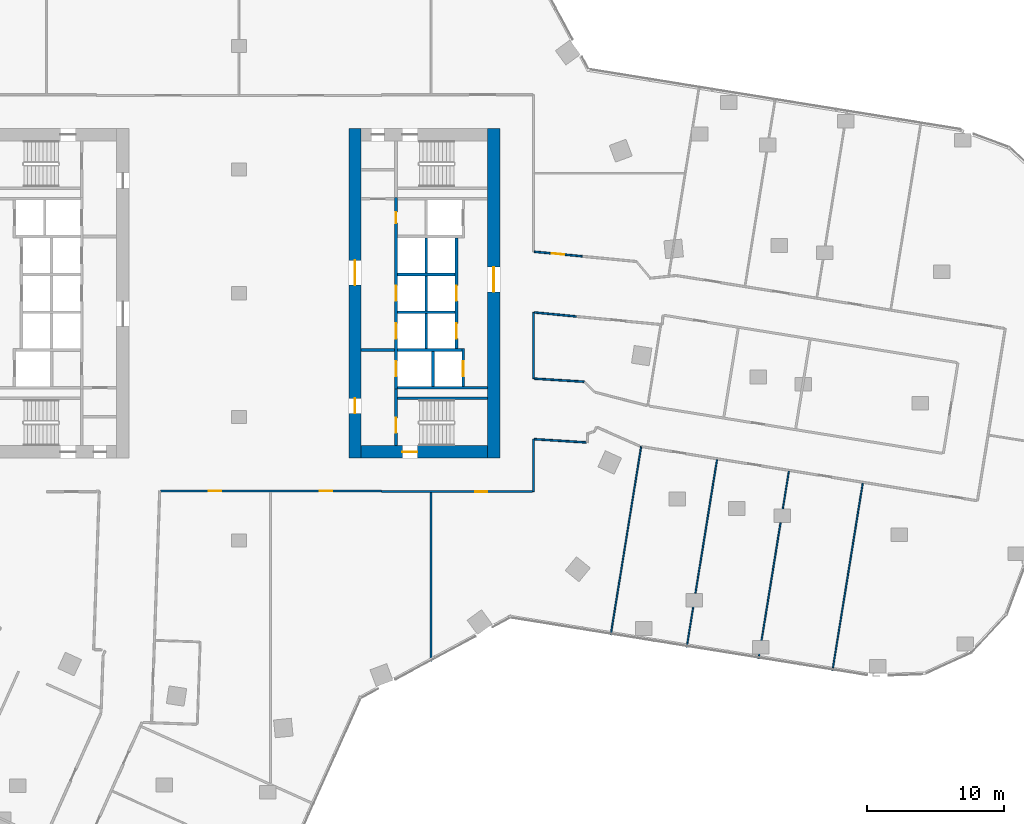
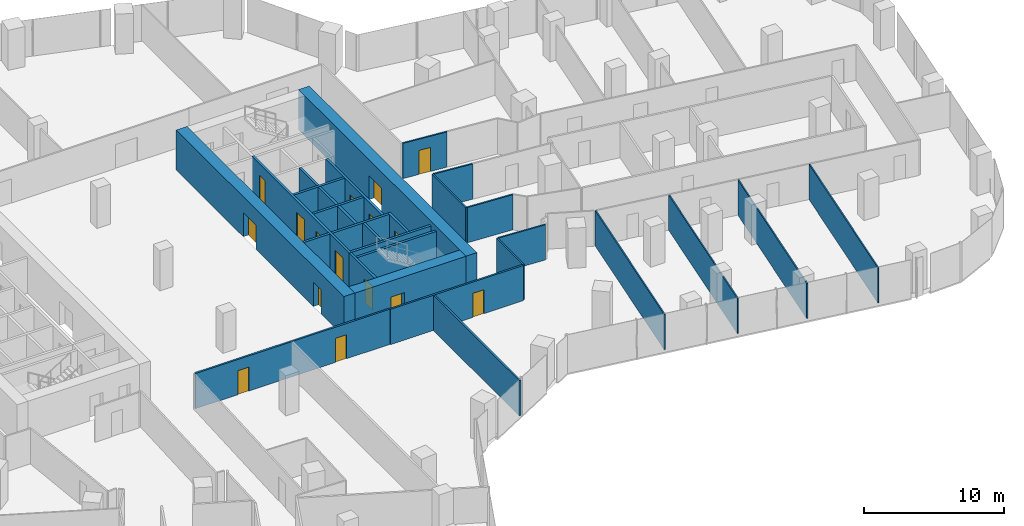
# One storey, part 27 of 34: 30 walls, 16 doors, 16 openings.
"""IFC4 building model written with IfcOpenShell, lengths in metres."""

from ifc_helpers import new_model, si_unit, direction, frame, frame_2d, origin, place, context, subcontext, project, spatial, rectangle, extrude, material, layer, layer_set, type_object, element, fill, save


model = new_model("IFC4")

# Units and contexts
model_context = context("Model", 3, precision=1e-05, world=origin(), true_north=direction((0.0, 1.0)))
body_context = subcontext(model_context, "Body", "Model", "MODEL_VIEW")
ifc_project = project(units=[si_unit("LENGTHUNIT", "METRE"), si_unit("AREAUNIT", "SQUARE_METRE"), si_unit("VOLUMEUNIT", "CUBIC_METRE"), si_unit("PLANEANGLEUNIT", "RADIAN"), si_unit("MASSUNIT", "GRAM", prefix="KILO")], contexts=[model_context])

# Site, building, storey
site_placement = place(None, origin())
site = spatial("IfcSite", under=ifc_project, at=site_placement, CompositionType="ELEMENT")
building_placement = place(site_placement, origin())
building = spatial("IfcBuilding", under=site, at=building_placement, Name="Orlundy Tower", CompositionType="ELEMENT")
storey_placement = place(building_placement, frame((0.0, 0.0, 130.699951171875)))
storey = spatial("IfcBuildingStorey", under=building, at=storey_placement, Name="L33", CompositionType="ELEMENT", Elevation=130.699951171875)

# Wall, opening, door
ifc_material_1 = material(Name="Concrete C80/95", Category="concrete")
ifc_layer_1 = layer(ifc_material_1, 0.89990234375)
ifc_layer_set_1 = layer_set([ifc_layer_1], Name="CORE WALL 900 C80/95")
wall_type_1 = type_object("IfcWallType", Name="CORE WALL 900 C80/95", PredefinedType="SHEAR", material=ifc_layer_set_1)
wall_1_placement = place(storey_placement, frame((8.89990234375, -11.550048828125, 0.0), z_axis=(0.0, 0.0, 1.0), x_axis=(1.0, 0.0, 0.0)))
wall_1 = element("IfcWall", 1, at=wall_1_placement, inside=storey, type_object=wall_type_1, Name="Core wall E-S L33", PredefinedType="SHEAR", context=body_context, shape_type="SweptSolid", body=[
    extrude(rectangle(XDim=9.2001953125, YDim=0.89990234375, at=frame_2d((4.60009765625, 0.0))), origin(), (0.0, 0.0, 1.0), 3.5),
])
opening_1_placement = place(wall_1_placement, frame((3.0, 0.0, 0.0)))
opening_1 = element("IfcOpeningElement", 2, at=opening_1_placement, cuts=wall_1, Name="Opening 25061", PredefinedType="OPENING", context=body_context, shape_type="SweptSolid", body=[
    extrude(rectangle(XDim=1.10009765625, YDim=2.10009765625, at=frame_2d((0.550048828125, 1.050048828125))), frame((0.0, 0.4599609375, 0.0), z_axis=(0.0, -1.0, 0.0), x_axis=(1.0, 0.0, 0.0)), (0.0, 0.0, 1.0), 0.919921875),
])
ifc_material_2 = material(Name="Steel door set", Category="steel")
door_type_1 = type_object("IfcDoorType", Name="Stair Door 1100x2100", OperationType="SINGLE_SWING_LEFT", PredefinedType="DOOR", material=ifc_material_2)
door_1_placement = place(opening_1_placement, origin())
door_1 = element("IfcDoor", 3, at=door_1_placement, inside=storey, type_object=door_type_1, Name="Stair door 25061", OperationType="SINGLE_SWING_LEFT", OverallHeight=2.10009765625, OverallWidth=1.10009765625, PredefinedType="DOOR", context=body_context, shape_type="SweptSolid", body=[
    extrude(rectangle(XDim=1.10009765625, YDim=2.10009765625, at=frame_2d((0.550048828125, 1.050048828125))), frame((0.0, 0.02490234375, 0.0), z_axis=(0.0, -1.0, 0.0), x_axis=(1.0, 0.0, 0.0)), (0.0, 0.0, 1.0), 0.050048828125),
])
fill(opening_1, door_1)

# Wall, openings, doors
wall_2_placement = place(storey_placement, frame((8.449951171875, -12.0, 0.0), z_axis=(0.0, 0.0, 1.0), x_axis=(0.0, 1.0, 0.0)))
wall_2 = element("IfcWall", 4, at=wall_2_placement, inside=storey, type_object=wall_type_1, Name="Core wall E-W L33", PredefinedType="SHEAR", context=body_context, shape_type="SweptSolid", body=[
    extrude(rectangle(XDim=24.0, YDim=0.89990234375, at=frame_2d((12.0, 0.0))), origin(), (0.0, 0.0, 1.0), 3.5),
])
opening_2_placement = place(wall_2_placement, frame((12.60009765625, 0.0, 0.0)))
opening_2 = element("IfcOpeningElement", 5, at=opening_2_placement, cuts=wall_2, Name="Opening 25058", PredefinedType="OPENING", context=body_context, shape_type="SweptSolid", body=[
    extrude(rectangle(XDim=1.800048828125, YDim=2.10009765625, at=frame_2d((0.89990234375, 1.050048828125))), frame((0.0, 0.4599609375, 0.0), z_axis=(0.0, -1.0, 0.0), x_axis=(1.0, 0.0, 0.0)), (0.0, 0.0, 1.0), 0.919921875),
])
opening_3_placement = place(wall_2_placement, frame((3.25, 0.0, 0.0)))
opening_3 = element("IfcOpeningElement", 6, at=opening_3_placement, cuts=wall_2, Name="Opening 25060", PredefinedType="OPENING", context=body_context, shape_type="SweptSolid", body=[
    extrude(rectangle(XDim=1.10009765625, YDim=2.10009765625, at=frame_2d((0.550048828125, 1.050048828125))), frame((0.0, 0.4599609375, 0.0), z_axis=(0.0, -1.0, 0.0), x_axis=(1.0, 0.0, 0.0)), (0.0, 0.0, 1.0), 0.919921875),
])
ifc_material_3 = material(Name="Steel door set", Category="steel")
door_type_2 = type_object("IfcDoorType", Name="Fire-fighting Lobby Door 1100x2100", OperationType="SINGLE_SWING_LEFT", PredefinedType="DOOR", material=ifc_material_3)
door_2_placement = place(opening_3_placement, origin())
door_2 = element("IfcDoor", 7, at=door_2_placement, inside=storey, type_object=door_type_2, Name="Fire-fighting lobby door 25060", OperationType="SINGLE_SWING_LEFT", OverallHeight=2.10009765625, OverallWidth=1.10009765625, PredefinedType="DOOR", context=body_context, shape_type="SweptSolid", body=[
    extrude(rectangle(XDim=1.10009765625, YDim=2.10009765625, at=frame_2d((0.550048828125, 1.050048828125))), frame((0.0, 0.02490234375, 0.0), z_axis=(0.0, -1.0, 0.0), x_axis=(1.0, 0.0, 0.0)), (0.0, 0.0, 1.0), 0.050048828125),
])
fill(opening_3, door_2)
ifc_material_4 = material(Name="Timber door set", Category="wood")
door_type_3 = type_object("IfcDoorType", Name="Lobby Door 1800x2100", OperationType="DOUBLE_DOOR_DOUBLE_SWING", PredefinedType="DOOR", material=ifc_material_4)
door_3_placement = place(opening_2_placement, origin())
door_3 = element("IfcDoor", 8, at=door_3_placement, inside=storey, type_object=door_type_3, Name="Lift lobby door 25058", OperationType="SINGLE_SWING_RIGHT", OverallHeight=2.10009765625, OverallWidth=1.800048828125, PredefinedType="DOOR", context=body_context, shape_type="SweptSolid", body=[
    extrude(rectangle(XDim=1.800048828125, YDim=2.10009765625, at=frame_2d((0.89990234375, 1.050048828125))), frame((0.0, 0.02490234375, 0.0), z_axis=(0.0, -1.0, 0.0), x_axis=(1.0, 0.0, 0.0)), (0.0, 0.0, 1.0), 0.050048828125),
])
fill(opening_2, door_3)

# Wall, opening, door
wall_3_placement = place(storey_placement, frame((18.550048828125, -12.0, 0.0), z_axis=(0.0, 0.0, 1.0), x_axis=(0.0, 1.0, 0.0)))
wall_3 = element("IfcWall", 9, at=wall_3_placement, inside=storey, type_object=wall_type_1, Name="Core wall E-E L33", PredefinedType="SHEAR", context=body_context, shape_type="SweptSolid", body=[
    extrude(rectangle(XDim=24.0, YDim=0.89990234375, at=frame_2d((12.0, 0.0))), origin(), (0.0, 0.0, 1.0), 3.5),
])
opening_4_placement = place(wall_3_placement, frame((12.10009765625, 0.0, 0.0)))
opening_4 = element("IfcOpeningElement", 10, at=opening_4_placement, cuts=wall_3, Name="Opening 25059", PredefinedType="OPENING", context=body_context, shape_type="SweptSolid", body=[
    extrude(rectangle(XDim=1.800048828125, YDim=2.10009765625, at=frame_2d((0.89990234375, 1.050048828125))), frame((0.0, 0.4599609375, 0.0), z_axis=(0.0, -1.0, 0.0), x_axis=(1.0, 0.0, 0.0)), (0.0, 0.0, 1.0), 0.919921875),
])
door_4_placement = place(opening_4_placement, origin())
door_4 = element("IfcDoor", 11, at=door_4_placement, inside=storey, type_object=door_type_3, Name="Lift lobby door 25059", OperationType="SINGLE_SWING_RIGHT", OverallHeight=2.10009765625, OverallWidth=1.800048828125, PredefinedType="DOOR", context=body_context, shape_type="SweptSolid", body=[
    extrude(rectangle(XDim=1.800048828125, YDim=2.10009765625, at=frame_2d((0.89990234375, 1.050048828125))), frame((0.0, 0.02490234375, 0.0), z_axis=(0.0, -1.0, 0.0), x_axis=(1.0, 0.0, 0.0)), (0.0, 0.0, 1.0), 0.050048828125),
])
fill(opening_4, door_4)

# Walls
ifc_material_5 = material(Name="Gypsum board partition")
ifc_layer_2 = layer(ifc_material_5, 0.10009765625)
ifc_layer_set_2 = layer_set([ifc_layer_2], Name="Floor partition 100")
wall_type_2 = type_object("IfcWallType", Name="Floor partition 100", PredefinedType="PARTITIONING", material=ifc_layer_set_2)
wall_4_placement = place(storey_placement, frame((43.221923828125, -27.487060546875, 0.0), z_axis=(0.0, 0.0, 1.0), x_axis=(0.159350032698, 0.987222146773, 0.0)))
element("IfcWall", 12, at=wall_4_placement, inside=storey, type_object=wall_type_2, Name="wall-int-L33-058", PredefinedType="PARTITIONING", context=body_context, shape_type="SweptSolid", body=[
    extrude(rectangle(XDim=13.837890625, YDim=0.10009765625, at=frame_2d((6.9189453125, 0.0))), origin(), (0.0, 0.0, 1.0), 3.080078125),
])
wall_5_placement = place(storey_placement, frame((37.842041015625, -26.618896484375, 0.0), z_axis=(0.0, 0.0, 1.0), x_axis=(0.159352808208, 0.987221698767, 0.0)))
element("IfcWall", 13, at=wall_5_placement, inside=storey, type_object=wall_type_2, Name="wall-int-L33-060", PredefinedType="PARTITIONING", context=body_context, shape_type="SweptSolid", body=[
    extrude(rectangle(XDim=13.837646484375, YDim=0.10009765625, at=frame_2d((6.9189453125, 0.0))), origin(), (0.0, 0.0, 1.0), 3.080078125),
])
wall_6_placement = place(storey_placement, frame((32.610107421875, -25.77392578125, 0.0), z_axis=(0.0, 0.0, 1.0), x_axis=(0.159346714874, 0.987222682306, 0.0)))
element("IfcWall", 14, at=wall_6_placement, inside=storey, type_object=wall_type_2, Name="wall-int-L33-063", PredefinedType="PARTITIONING", context=body_context, shape_type="SweptSolid", body=[
    extrude(rectangle(XDim=13.836669921875, YDim=0.10009765625, at=frame_2d((6.91845703125, 0.0))), origin(), (0.0, 0.0, 1.0), 3.080078125),
])
wall_7_placement = place(storey_placement, frame((27.074951171875, -24.881103515625, 0.0), z_axis=(0.0, 0.0, 1.0), x_axis=(0.159361105938, 0.987220359349, 0.0)))
element("IfcWall", 15, at=wall_7_placement, inside=storey, type_object=wall_type_2, Name="wall-int-L33-066", PredefinedType="PARTITIONING", context=body_context, shape_type="SweptSolid", body=[
    extrude(rectangle(XDim=13.89990234375, YDim=0.10009765625, at=frame_2d((6.949951171875, 0.0))), origin(), (0.0, 0.0, 1.0), 3.080078125),
])
ifc_material_6 = material(Name="Gypsum board partition, double layer")
ifc_layer_3 = layer(ifc_material_6, 0.125)
ifc_layer_set_3 = layer_set([ifc_layer_3], Name="Floor partition 125")
wall_type_3 = type_object("IfcWallType", Name="Floor partition 125", PredefinedType="PARTITIONING", material=ifc_layer_set_3)
wall_8_placement = place(storey_placement, frame((21.511962890625, -1.39599609375, 0.0), z_axis=(0.0, 0.0, 1.0), x_axis=(0.995439564575, -0.095394304224, 0.0)))
element("IfcWall", 16, at=wall_8_placement, inside=storey, type_object=wall_type_3, Name="wall-int-L33-025", PredefinedType="PARTITIONING", context=body_context, shape_type="SweptSolid", body=[
    extrude(rectangle(XDim=3.071044921875, YDim=0.125, at=frame_2d((1.53564453125, 0.0))), origin(), (0.0, 0.0, 1.0), 3.080078125),
])

# Wall, opening, door
wall_9_placement = place(storey_placement, frame((21.511962890625, 3.02490234375, 0.0), z_axis=(0.0, 0.0, 1.0), x_axis=(0.995445071108, -0.095336826077, 0.0)))
wall_9 = element("IfcWall", 17, at=wall_9_placement, inside=storey, type_object=wall_type_3, Name="wall-int-L33-027", PredefinedType="PARTITIONING", context=body_context, shape_type="SweptSolid", body=[
    extrude(rectangle(XDim=3.492919921875, YDim=0.125, at=frame_2d((1.74658203125, 0.0))), origin(), (0.0, 0.0, 1.0), 3.080078125),
])
opening_5_placement = place(wall_9_placement, frame((1.28759765625, 0.0, 0.0)))
opening_5 = element("IfcOpeningElement", 18, at=opening_5_placement, cuts=wall_9, Name="Opening 25127", PredefinedType="OPENING", context=body_context, shape_type="SweptSolid", body=[
    extrude(rectangle(XDim=0.89990234375, YDim=2.10009765625, at=frame_2d((0.449951171875, 1.050048828125))), frame((0.0, 0.072509765625, 0.0), z_axis=(0.0, -1.0, 0.0), x_axis=(1.0, 0.0, 0.0)), (0.0, 0.0, 1.0), 0.14501953125),
])
ifc_material_7 = material(Name="Timber door leaf", Category="wood")
door_type_4 = type_object("IfcDoorType", Name="Floor door single 900 FD30S", OperationType="NOTDEFINED", PredefinedType="DOOR", material=ifc_material_7)
door_5_placement = place(opening_5_placement, origin())
door_5 = element("IfcDoor", 19, at=door_5_placement, inside=storey, type_object=door_type_4, Name="Door 25127", OperationType="SINGLE_SWING_LEFT", OverallHeight=2.10009765625, OverallWidth=0.89990234375, PredefinedType="DOOR", context=body_context, shape_type="SweptSolid", body=[
    extrude(rectangle(XDim=0.89990234375, YDim=2.10009765625, at=frame_2d((0.449951171875, 1.050048828125))), frame((0.0, 0.02490234375, 0.0), z_axis=(0.0, -1.0, 0.0), x_axis=(1.0, 0.0, 0.0)), (0.0, 0.0, 1.0), 0.050048828125),
])
fill(opening_5, door_5)

# Walls
wall_10_placement = place(storey_placement, frame((21.511962890625, -10.6259765625, 0.0), z_axis=(0.0, 0.0, 1.0), x_axis=(0.998079516633, -0.061945770464, 0.0)))
element("IfcWall", 20, at=wall_10_placement, inside=storey, type_object=wall_type_3, Name="wall-int-L33-028", PredefinedType="PARTITIONING", context=body_context, shape_type="SweptSolid", body=[
    extrude(rectangle(XDim=3.79541015625, YDim=0.125, at=frame_2d((1.897705078125, 0.0))), origin(), (0.0, 0.0, 1.0), 3.080078125),
])
wall_11_placement = place(storey_placement, frame((21.511962890625, -6.217041015625, 0.0), z_axis=(0.0, 0.0, 1.0), x_axis=(0.998085189805, -0.061854295661, 0.0)))
element("IfcWall", 21, at=wall_11_placement, inside=storey, type_object=wall_type_3, Name="wall-int-L33-029", PredefinedType="PARTITIONING", context=body_context, shape_type="SweptSolid", body=[
    extrude(rectangle(XDim=3.655029296875, YDim=0.125, at=frame_2d((1.82763671875, 0.0))), origin(), (0.0, 0.0, 1.0), 3.080078125),
])
wall_12_placement = place(storey_placement, frame((21.449951171875, -14.450927734375, 0.0), z_axis=(0.0, 0.0, 1.0), x_axis=(0.0, 1.0, 0.0)))
element("IfcWall", 22, at=wall_12_placement, inside=storey, type_object=wall_type_3, Name="wall-int-L33-077", PredefinedType="PARTITIONING", context=body_context, shape_type="SweptSolid", body=[
    extrude(rectangle(XDim=3.828857421875, YDim=0.125, at=frame_2d((1.91455078125, 0.0))), origin(), (0.0, 0.0, 1.0), 3.080078125),
])
wall_13_placement = place(storey_placement, frame((21.449951171875, -6.212890625, 0.0), z_axis=(0.0, 0.0, 1.0), x_axis=(0.0, 1.0, 0.0)))
element("IfcWall", 23, at=wall_13_placement, inside=storey, type_object=wall_type_3, Name="wall-int-L33-078", PredefinedType="PARTITIONING", context=body_context, shape_type="SweptSolid", body=[
    extrude(rectangle(XDim=4.822998046875, YDim=0.125, at=frame_2d((2.41162109375, 0.0))), origin(), (0.0, 0.0, 1.0), 3.080078125),
])

# Wall, opening, door
ifc_material_8 = material(Name="Blockwork shaft wall", Category="masonry")
ifc_layer_4 = layer(ifc_material_8, 0.14990234375)
ifc_layer_set_4 = layer_set([ifc_layer_4], Name="Floor shaft wall 150")
wall_type_4 = type_object("IfcWallType", Name="Floor shaft wall 150", PredefinedType="PARTITIONING", material=ifc_layer_set_4)
wall_14_placement = place(storey_placement, frame((21.386962890625, -14.450927734375, 0.0), z_axis=(0.0, 0.0, 1.0), x_axis=(-1.0, 0.0, 0.0)))
wall_14 = element("IfcWall", 24, at=wall_14_placement, inside=storey, type_object=wall_type_4, Name="wall-int-L33-035", PredefinedType="PARTITIONING", context=body_context, shape_type="SweptSolid", body=[
    extrude(rectangle(XDim=10.995849609375, YDim=0.14990234375, at=frame_2d((5.498046875, 0.0))), origin(), (0.0, 0.0, 1.0), 3.080078125),
])
opening_6_placement = place(wall_14_placement, frame((3.28759765625, 0.0, 0.0)))
opening_6 = element("IfcOpeningElement", 25, at=opening_6_placement, cuts=wall_14, Name="Opening 25125", PredefinedType="OPENING", context=body_context, shape_type="SweptSolid", body=[
    extrude(rectangle(XDim=0.89990234375, YDim=2.10009765625, at=frame_2d((0.449951171875, 1.050048828125))), frame((0.0, 0.0849609375, 0.0), z_axis=(0.0, -1.0, 0.0), x_axis=(1.0, 0.0, 0.0)), (0.0, 0.0, 1.0), 0.169921875),
])
ifc_material_9 = material(Name="Timber door leaf", Category="wood")
door_type_5 = type_object("IfcDoorType", Name="Floor door single 900 FD60", OperationType="NOTDEFINED", PredefinedType="DOOR", material=ifc_material_9)
door_6_placement = place(opening_6_placement, origin())
door_6 = element("IfcDoor", 26, at=door_6_placement, inside=storey, type_object=door_type_5, Name="Door 25125", OperationType="SINGLE_SWING_LEFT", OverallHeight=2.10009765625, OverallWidth=0.89990234375, PredefinedType="DOOR", context=body_context, shape_type="SweptSolid", body=[
    extrude(rectangle(XDim=0.89990234375, YDim=2.10009765625, at=frame_2d((0.449951171875, 1.050048828125))), frame((0.0, 0.02490234375, 0.0), z_axis=(0.0, -1.0, 0.0), x_axis=(1.0, 0.0, 0.0)), (0.0, 0.0, 1.0), 0.050048828125),
])
fill(opening_6, door_6)

# Wall, openings, doors
wall_15_placement = place(storey_placement, frame((10.39111328125, -14.40087890625, 0.0), z_axis=(0.0, 0.0, 1.0), x_axis=(-1.0, 0.0, 0.0)))
wall_15 = element("IfcWall", 27, at=wall_15_placement, inside=storey, type_object=wall_type_4, Name="wall-int-L33-037", PredefinedType="PARTITIONING", context=body_context, shape_type="SweptSolid", body=[
    extrude(rectangle(XDim=16.09619140625, YDim=0.14990234375, at=frame_2d((8.048095703125, 0.0))), origin(), (0.0, 0.0, 1.0), 3.080078125),
])
opening_7_placement = place(wall_15_placement, frame((11.679931640625, 0.0, 0.0)))
opening_7 = element("IfcOpeningElement", 28, at=opening_7_placement, cuts=wall_15, Name="Opening 25123", PredefinedType="OPENING", context=body_context, shape_type="SweptSolid", body=[
    extrude(rectangle(XDim=0.89990234375, YDim=2.10009765625, at=frame_2d((0.449951171875, 1.050048828125))), frame((0.0, 0.0849609375, 0.0), z_axis=(0.0, -1.0, 0.0), x_axis=(1.0, 0.0, 0.0)), (0.0, 0.0, 1.0), 0.169921875),
])
opening_8_placement = place(wall_15_placement, frame((3.60009765625, 0.0, 0.0)))
opening_8 = element("IfcOpeningElement", 29, at=opening_8_placement, cuts=wall_15, Name="Opening 25124", PredefinedType="OPENING", context=body_context, shape_type="SweptSolid", body=[
    extrude(rectangle(XDim=0.89990234375, YDim=2.10009765625, at=frame_2d((0.449951171875, 1.050048828125))), frame((0.0, 0.0849609375, 0.0), z_axis=(0.0, -1.0, 0.0), x_axis=(1.0, 0.0, 0.0)), (0.0, 0.0, 1.0), 0.169921875),
])
door_7_placement = place(opening_7_placement, origin())
door_7 = element("IfcDoor", 30, at=door_7_placement, inside=storey, type_object=door_type_5, Name="Door 25123", OperationType="SINGLE_SWING_RIGHT", OverallHeight=2.10009765625, OverallWidth=0.89990234375, PredefinedType="DOOR", context=body_context, shape_type="SweptSolid", body=[
    extrude(rectangle(XDim=0.89990234375, YDim=2.10009765625, at=frame_2d((0.449951171875, 1.050048828125))), frame((0.0, 0.02490234375, 0.0), z_axis=(0.0, -1.0, 0.0), x_axis=(1.0, 0.0, 0.0)), (0.0, 0.0, 1.0), 0.050048828125),
])
fill(opening_7, door_7)
door_8_placement = place(opening_8_placement, origin())
door_8 = element("IfcDoor", 31, at=door_8_placement, inside=storey, type_object=door_type_5, Name="Door 25124", OperationType="SINGLE_SWING_LEFT", OverallHeight=2.10009765625, OverallWidth=0.89990234375, PredefinedType="DOOR", context=body_context, shape_type="SweptSolid", body=[
    extrude(rectangle(XDim=0.89990234375, YDim=2.10009765625, at=frame_2d((0.449951171875, 1.050048828125))), frame((0.0, 0.02490234375, 0.0), z_axis=(0.0, -1.0, 0.0), x_axis=(1.0, 0.0, 0.0)), (0.0, 0.0, 1.0), 0.050048828125),
])
fill(opening_8, door_8)

# Wall
wall_16_placement = place(storey_placement, frame((14.0, -26.818115234375, 0.0), z_axis=(0.0, 0.0, 1.0), x_axis=(0.0, 1.0, 0.0)))
element("IfcWall", 32, at=wall_16_placement, inside=storey, type_object=wall_type_4, Name="wall-int-L33-080", PredefinedType="PARTITIONING", context=body_context, shape_type="SweptSolid", body=[
    extrude(rectangle(XDim=12.292236328125, YDim=0.14990234375, at=frame_2d((6.14599609375, 0.0))), origin(), (0.0, 0.0, 1.0), 3.080078125),
])

# Wall, opening, door
ifc_material_10 = material(Name="Concrete C40/50", Category="concrete")
ifc_layer_5 = layer(ifc_material_10, 0.199951171875)
ifc_layer_set_5 = layer_set([ifc_layer_5], Name="Load-bearing Shaft Wall 200")
wall_type_5 = type_object("IfcWallType", Name="Load-bearing Shaft Wall 200", PredefinedType="SOLIDWALL", material=ifc_layer_set_5)
wall_17_placement = place(storey_placement, frame((11.43994140625, -6.97509765625, 0.0), z_axis=(0.0, 0.0, 1.0), x_axis=(0.0, -1.0, 0.0)))
wall_17 = element("IfcWall", 33, at=wall_17_placement, inside=storey, type_object=wall_type_5, Name="Shaft wall E25-stair-end-n", PredefinedType="SOLIDWALL", context=body_context, shape_type="SweptSolid", body=[
    extrude(rectangle(XDim=4.125, YDim=0.199951171875, at=frame_2d((2.0625, 0.0))), origin(), (0.0, 0.0, 1.0), 3.090087890625),
])
opening_9_placement = place(wall_17_placement, frame((2.10009765625, 0.0, 0.0)))
opening_9 = element("IfcOpeningElement", 34, at=opening_9_placement, cuts=wall_17, Name="Opening 25063", PredefinedType="OPENING", context=body_context, shape_type="SweptSolid", body=[
    extrude(rectangle(XDim=1.10009765625, YDim=2.10009765625, at=frame_2d((0.550048828125, 1.050048828125))), frame((0.0, 0.110107421875, 0.0), z_axis=(0.0, -1.0, 0.0), x_axis=(1.0, 0.0, 0.0)), (0.0, 0.0, 1.0), 0.22021484375),
])
door_9_placement = place(opening_9_placement, origin())
door_9 = element("IfcDoor", 35, at=door_9_placement, inside=storey, type_object=door_type_2, Name="Fire-fighting lobby to stair door 25063", OperationType="SINGLE_SWING_RIGHT", OverallHeight=2.10009765625, OverallWidth=1.10009765625, PredefinedType="DOOR", context=body_context, shape_type="SweptSolid", body=[
    extrude(rectangle(XDim=1.10009765625, YDim=2.10009765625, at=frame_2d((0.550048828125, 1.050048828125))), frame((0.0, 0.02490234375, 0.0), z_axis=(0.0, -1.0, 0.0), x_axis=(1.0, 0.0, 0.0)), (0.0, 0.0, 1.0), 0.050048828125),
])
fill(opening_9, door_9)

# Walls
wall_18_placement = place(storey_placement, frame((11.5400390625, -7.64990234375, 0.0), z_axis=(0.0, 0.0, 1.0), x_axis=(1.0, 0.0, 0.0)))
element("IfcWall", 36, at=wall_18_placement, inside=storey, type_object=wall_type_5, Name="Shaft wall E25-stair-side-n", PredefinedType="SOLIDWALL", context=body_context, shape_type="SweptSolid", body=[
    extrude(rectangle(XDim=6.56005859375, YDim=0.199951171875, at=frame_2d((3.280029296875, 0.0))), origin(), (0.0, 0.0, 1.0), 3.090087890625),
])
ifc_material_11 = material(Name="Gypsum board partition on steel studs", Category="steel")
ifc_layer_6 = layer(ifc_material_11, 0.199951171875)
ifc_layer_set_6 = layer_set([ifc_layer_6], Name="Partition 200")
wall_type_6 = type_object("IfcWallType", Name="Partition 200", PredefinedType="PARTITIONING", material=ifc_layer_set_6)
wall_19_placement = place(storey_placement, frame((8.89990234375, -4.125, 0.0), z_axis=(0.0, 0.0, 1.0), x_axis=(1.0, 0.0, 0.0)))
element("IfcWall", 37, at=wall_19_placement, inside=storey, type_object=wall_type_6, Name="Partition wall E25-lobby-n", PredefinedType="PARTITIONING", context=body_context, shape_type="SweptSolid", body=[
    extrude(rectangle(XDim=2.440185546875, YDim=0.199951171875, at=frame_2d((1.22021484375, 0.0))), origin(), (0.0, 0.0, 1.0), 3.090087890625),
])
ifc_material_12 = material(Name="Fire-rated blockwork shaft wall", Category="masonry")
ifc_layer_7 = layer(ifc_material_12, 0.199951171875)
ifc_layer_set_7 = layer_set([ifc_layer_7], Name="Shaft Wall 200")
wall_type_7 = type_object("IfcWallType", Name="Shaft Wall 200", PredefinedType="SOLIDWALL", material=ifc_layer_set_7)
wall_20_placement = place(storey_placement, frame((11.5400390625, -6.875, 0.0), z_axis=(0.0, 0.0, 1.0), x_axis=(1.0, 0.0, 0.0)))
element("IfcWall", 38, at=wall_20_placement, inside=storey, type_object=wall_type_7, Name="Shaft wall E25-zone-n", PredefinedType="SOLIDWALL", context=body_context, shape_type="SweptSolid", body=[
    extrude(rectangle(XDim=6.56005859375, YDim=0.199951171875, at=frame_2d((3.280029296875, 0.0))), origin(), (0.0, 0.0, 1.0), 3.090087890625),
])
for number, where, z_axis, x_axis, name in (
    (39, (11.5400390625, 1.375, 0.0), (0.0, 0.0, 1.0), (1.0, 0.0, 0.0), "Shaft wall E25-cross-1.375"),
    (40, (11.5400390625, -1.375, 0.0), (0.0, 0.0, 1.0), (1.0, 0.0, 0.0), "Shaft wall E25-cross+1.375"),
):
    element("IfcWall", number, at=place(storey_placement, frame(where, z_axis=z_axis, x_axis=x_axis)), inside=storey, type_object=wall_type_7, Name=name, PredefinedType="SOLIDWALL", context=body_context, shape_type="SweptSolid", body=[
        extrude(rectangle(XDim=4.199951171875, YDim=0.199951171875, at=frame_2d((2.10009765625, 0.0))), origin(), (0.0, 0.0, 1.0), 3.090087890625),
    ])
wall_21_placement = place(storey_placement, frame((11.5400390625, -4.125, 0.0), z_axis=(0.0, 0.0, 1.0), x_axis=(1.0, 0.0, 0.0)))
element("IfcWall", 41, at=wall_21_placement, inside=storey, type_object=wall_type_7, Name="Shaft wall E25-cross+4.125", PredefinedType="SOLIDWALL", context=body_context, shape_type="SweptSolid", body=[
    extrude(rectangle(XDim=4.699951171875, YDim=0.199951171875, at=frame_2d((2.35009765625, 0.0))), origin(), (0.0, 0.0, 1.0), 3.090087890625),
])

# Wall, openings, doors
wall_22_placement = place(storey_placement, frame((11.43994140625, 6.97509765625, 0.0), z_axis=(0.0, 0.0, 1.0), x_axis=(0.0, -1.0, 0.0)))
wall_22 = element("IfcWall", 42, at=wall_22_placement, inside=storey, type_object=wall_type_7, Name="Shaft wall E25-front-h", PredefinedType="SOLIDWALL", context=body_context, shape_type="SweptSolid", body=[
    extrude(rectangle(XDim=13.9501953125, YDim=0.199951171875, at=frame_2d((6.97509765625, 0.0))), origin(), (0.0, 0.0, 1.0), 3.090087890625),
])
opening_10_placement = place(wall_22_placement, frame((6.425048828125, 0.0, 0.0)))
opening_10 = element("IfcOpeningElement", 43, at=opening_10_placement, cuts=wall_22, Name="Opening 25051", PredefinedType="OPENING", context=body_context, shape_type="SweptSolid", body=[
    extrude(rectangle(XDim=1.10009765625, YDim=2.10009765625, at=frame_2d((0.550048828125, 1.050048828125))), frame((0.0, 0.110107421875, 0.0), z_axis=(0.0, -1.0, 0.0), x_axis=(1.0, 0.0, 0.0)), (0.0, 0.0, 1.0), 0.22021484375),
])
opening_11_placement = place(wall_22_placement, frame((9.175048828125, 0.0, 0.0)))
opening_11 = element("IfcOpeningElement", 44, at=opening_11_placement, cuts=wall_22, Name="Opening 25053", PredefinedType="OPENING", context=body_context, shape_type="SweptSolid", body=[
    extrude(rectangle(XDim=1.10009765625, YDim=2.10009765625, at=frame_2d((0.550048828125, 1.050048828125))), frame((0.0, 0.110107421875, 0.0), z_axis=(0.0, -1.0, 0.0), x_axis=(1.0, 0.0, 0.0)), (0.0, 0.0, 1.0), 0.22021484375),
])
opening_12_placement = place(wall_22_placement, frame((11.925048828125, 0.0, 0.0)))
opening_12 = element("IfcOpeningElement", 45, at=opening_12_placement, cuts=wall_22, Name="Opening 25055", PredefinedType="OPENING", context=body_context, shape_type="SweptSolid", body=[
    extrude(rectangle(XDim=1.10009765625, YDim=2.10009765625, at=frame_2d((0.550048828125, 1.050048828125))), frame((0.0, 0.110107421875, 0.0), z_axis=(0.0, -1.0, 0.0), x_axis=(1.0, 0.0, 0.0)), (0.0, 0.0, 1.0), 0.22021484375),
])
opening_13_placement = place(wall_22_placement, frame((1.074951171875, 0.0, 0.0)))
opening_13 = element("IfcOpeningElement", 46, at=opening_13_placement, cuts=wall_22, Name="Opening 25057", PredefinedType="OPENING", context=body_context, shape_type="SweptSolid", body=[
    extrude(rectangle(XDim=0.800048828125, YDim=2.10009765625, at=frame_2d((0.39990234375, 1.050048828125))), frame((0.0, 0.110107421875, 0.0), z_axis=(0.0, -1.0, 0.0), x_axis=(1.0, 0.0, 0.0)), (0.0, 0.0, 1.0), 0.22021484375),
])
ifc_material_13 = material(Name="Steel door set", Category="steel")
door_type_6 = type_object("IfcDoorType", Name="Landing Door 1100x2100", OperationType="DOUBLE_DOOR_SLIDING", PredefinedType="DOOR", material=ifc_material_13)
door_10_placement = place(opening_10_placement, origin())
door_10 = element("IfcDoor", 47, at=door_10_placement, inside=storey, type_object=door_type_6, Name="Lift landing door LP-10 25051", OperationType="DOUBLE_DOOR_SLIDING", OverallHeight=2.10009765625, OverallWidth=1.10009765625, PredefinedType="DOOR", context=body_context, shape_type="SweptSolid", body=[
    extrude(rectangle(XDim=1.10009765625, YDim=2.10009765625, at=frame_2d((0.550048828125, 1.050048828125))), frame((0.0, 0.02490234375, 0.0), z_axis=(0.0, -1.0, 0.0), x_axis=(1.0, 0.0, 0.0)), (0.0, 0.0, 1.0), 0.050048828125),
])
fill(opening_10, door_10)
door_11_placement = place(opening_11_placement, origin())
door_11 = element("IfcDoor", 48, at=door_11_placement, inside=storey, type_object=door_type_6, Name="Lift landing door LP-07 25053", OperationType="DOUBLE_DOOR_SLIDING", OverallHeight=2.10009765625, OverallWidth=1.10009765625, PredefinedType="DOOR", context=body_context, shape_type="SweptSolid", body=[
    extrude(rectangle(XDim=1.10009765625, YDim=2.10009765625, at=frame_2d((0.550048828125, 1.050048828125))), frame((0.0, 0.02490234375, 0.0), z_axis=(0.0, -1.0, 0.0), x_axis=(1.0, 0.0, 0.0)), (0.0, 0.0, 1.0), 0.050048828125),
])
fill(opening_11, door_11)
door_12_placement = place(opening_12_placement, origin())
door_12 = element("IfcDoor", 49, at=door_12_placement, inside=storey, type_object=door_type_6, Name="Lift landing door FL2 25055", OperationType="DOUBLE_DOOR_SLIDING", OverallHeight=2.10009765625, OverallWidth=1.10009765625, PredefinedType="DOOR", context=body_context, shape_type="SweptSolid", body=[
    extrude(rectangle(XDim=1.10009765625, YDim=2.10009765625, at=frame_2d((0.550048828125, 1.050048828125))), frame((0.0, 0.02490234375, 0.0), z_axis=(0.0, -1.0, 0.0), x_axis=(1.0, 0.0, 0.0)), (0.0, 0.0, 1.0), 0.050048828125),
])
fill(opening_12, door_12)
ifc_material_14 = material(Name="Timber door set", Category="wood")
door_type_7 = type_object("IfcDoorType", Name="Riser Door 800x2100", OperationType="SINGLE_SWING_LEFT", PredefinedType="DOOR", material=ifc_material_14)
door_13_placement = place(opening_13_placement, origin())
door_13 = element("IfcDoor", 50, at=door_13_placement, inside=storey, type_object=door_type_7, Name="Pantry Store door 25057", OperationType="SINGLE_SWING_LEFT", OverallHeight=2.10009765625, OverallWidth=0.800048828125, PredefinedType="DOOR", context=body_context, shape_type="SweptSolid", body=[
    extrude(rectangle(XDim=0.800048828125, YDim=2.10009765625, at=frame_2d((0.39990234375, 1.050048828125))), frame((0.0, 0.02490234375, 0.0), z_axis=(0.0, -1.0, 0.0), x_axis=(1.0, 0.0, 0.0)), (0.0, 0.0, 1.0), 0.050048828125),
])
fill(opening_13, door_13)

# Walls
for number, where, z_axis, x_axis, name in (
    (51, (13.639892578125, 4.02490234375, 0.0), (0.0, 0.0, 1.0), (0.0, -1.0, 0.0), "Shaft wall E25-mid-a.1"),
    (52, (13.639892578125, 1.27490234375, 0.0), (0.0, 0.0, 1.0), (0.0, -1.0, 0.0), "Shaft wall E25-mid-a.2"),
    (53, (13.639892578125, -1.47509765625, 0.0), (0.0, 0.0, 1.0), (0.0, -1.0, 0.0), "Shaft wall E25-mid-a.3"),
    (54, (14.139892578125, -4.22509765625, 0.0), (0.0, 0.0, 1.0), (0.0, -1.0, 0.0), "Shaft wall E25-mid-b"),
):
    element("IfcWall", number, at=place(storey_placement, frame(where, z_axis=z_axis, x_axis=x_axis)), inside=storey, type_object=wall_type_7, Name=name, PredefinedType="SOLIDWALL", context=body_context, shape_type="SweptSolid", body=[
        extrude(rectangle(XDim=2.5498046875, YDim=0.199951171875, at=frame_2d((1.27490234375, 0.0))), origin(), (0.0, 0.0, 1.0), 3.090087890625),
    ])

# Wall, openings, doors
wall_23_placement = place(storey_placement, frame((15.840087890625, 4.02490234375, 0.0), z_axis=(0.0, 0.0, 1.0), x_axis=(0.0, -1.0, 0.0)))
wall_23 = element("IfcWall", 55, at=wall_23_placement, inside=storey, type_object=wall_type_7, Name="Shaft wall E25-front-o-b", PredefinedType="SOLIDWALL", context=body_context, shape_type="SweptSolid", body=[
    extrude(rectangle(XDim=8.0498046875, YDim=0.199951171875, at=frame_2d((4.02490234375, 0.0))), origin(), (0.0, 0.0, 1.0), 3.090087890625),
])
opening_14_placement = place(wall_23_placement, frame((3.47509765625, 0.0, 0.0)))
opening_14 = element("IfcOpeningElement", 56, at=opening_14_placement, cuts=wall_23, Name="Opening 25052", PredefinedType="OPENING", context=body_context, shape_type="SweptSolid", body=[
    extrude(rectangle(XDim=1.10009765625, YDim=2.10009765625, at=frame_2d((0.550048828125, 1.050048828125))), frame((0.0, 0.110107421875, 0.0), z_axis=(0.0, -1.0, 0.0), x_axis=(1.0, 0.0, 0.0)), (0.0, 0.0, 1.0), 0.22021484375),
])
opening_15_placement = place(wall_23_placement, frame((6.22509765625, 0.0, 0.0)))
opening_15 = element("IfcOpeningElement", 57, at=opening_15_placement, cuts=wall_23, Name="Opening 25054", PredefinedType="OPENING", context=body_context, shape_type="SweptSolid", body=[
    extrude(rectangle(XDim=1.10009765625, YDim=2.10009765625, at=frame_2d((0.550048828125, 1.050048828125))), frame((0.0, 0.110107421875, 0.0), z_axis=(0.0, -1.0, 0.0), x_axis=(1.0, 0.0, 0.0)), (0.0, 0.0, 1.0), 0.22021484375),
])
door_14_placement = place(opening_14_placement, origin())
door_14 = element("IfcDoor", 58, at=door_14_placement, inside=storey, type_object=door_type_6, Name="Lift landing door LP-06 25052", OperationType="DOUBLE_DOOR_SLIDING", OverallHeight=2.10009765625, OverallWidth=1.10009765625, PredefinedType="DOOR", context=body_context, shape_type="SweptSolid", body=[
    extrude(rectangle(XDim=1.10009765625, YDim=2.10009765625, at=frame_2d((0.550048828125, 1.050048828125))), frame((0.0, 0.02490234375, 0.0), z_axis=(0.0, -1.0, 0.0), x_axis=(1.0, 0.0, 0.0)), (0.0, 0.0, 1.0), 0.050048828125),
])
fill(opening_14, door_14)
door_15_placement = place(opening_15_placement, origin())
door_15 = element("IfcDoor", 59, at=door_15_placement, inside=storey, type_object=door_type_6, Name="Lift landing door LP-08 25054", OperationType="DOUBLE_DOOR_SLIDING", OverallHeight=2.10009765625, OverallWidth=1.10009765625, PredefinedType="DOOR", context=body_context, shape_type="SweptSolid", body=[
    extrude(rectangle(XDim=1.10009765625, YDim=2.10009765625, at=frame_2d((0.550048828125, 1.050048828125))), frame((0.0, 0.02490234375, 0.0), z_axis=(0.0, -1.0, 0.0), x_axis=(1.0, 0.0, 0.0)), (0.0, 0.0, 1.0), 0.050048828125),
])
fill(opening_15, door_15)

# Wall, opening, door
wall_24_placement = place(storey_placement, frame((16.340087890625, -4.02490234375, 0.0), z_axis=(0.0, 0.0, 1.0), x_axis=(0.0, -1.0, 0.0)))
wall_24 = element("IfcWall", 60, at=wall_24_placement, inside=storey, type_object=wall_type_7, Name="Shaft wall E25-front-o-c", PredefinedType="SOLIDWALL", context=body_context, shape_type="SweptSolid", body=[
    extrude(rectangle(XDim=2.75, YDim=0.199951171875, at=frame_2d((1.375, 0.0))), origin(), (0.0, 0.0, 1.0), 3.090087890625),
])
opening_16_placement = place(wall_24_placement, frame((0.925048828125, 0.0, 0.0)))
opening_16 = element("IfcOpeningElement", 61, at=opening_16_placement, cuts=wall_24, Name="Opening 25056", PredefinedType="OPENING", context=body_context, shape_type="SweptSolid", body=[
    extrude(rectangle(XDim=1.10009765625, YDim=2.10009765625, at=frame_2d((0.550048828125, 1.050048828125))), frame((0.0, 0.110107421875, 0.0), z_axis=(0.0, -1.0, 0.0), x_axis=(1.0, 0.0, 0.0)), (0.0, 0.0, 1.0), 0.22021484375),
])
door_16_placement = place(opening_16_placement, origin())
door_16 = element("IfcDoor", 62, at=door_16_placement, inside=storey, type_object=door_type_6, Name="Lift landing door LP-09 25056", OperationType="DOUBLE_DOOR_SLIDING", OverallHeight=2.10009765625, OverallWidth=1.10009765625, PredefinedType="DOOR", context=body_context, shape_type="SweptSolid", body=[
    extrude(rectangle(XDim=1.10009765625, YDim=2.10009765625, at=frame_2d((0.550048828125, 1.050048828125))), frame((0.0, 0.02490234375, 0.0), z_axis=(0.0, -1.0, 0.0), x_axis=(1.0, 0.0, 0.0)), (0.0, 0.0, 1.0), 0.050048828125),
])
fill(opening_16, door_16)

save(model, "model.ifc")
